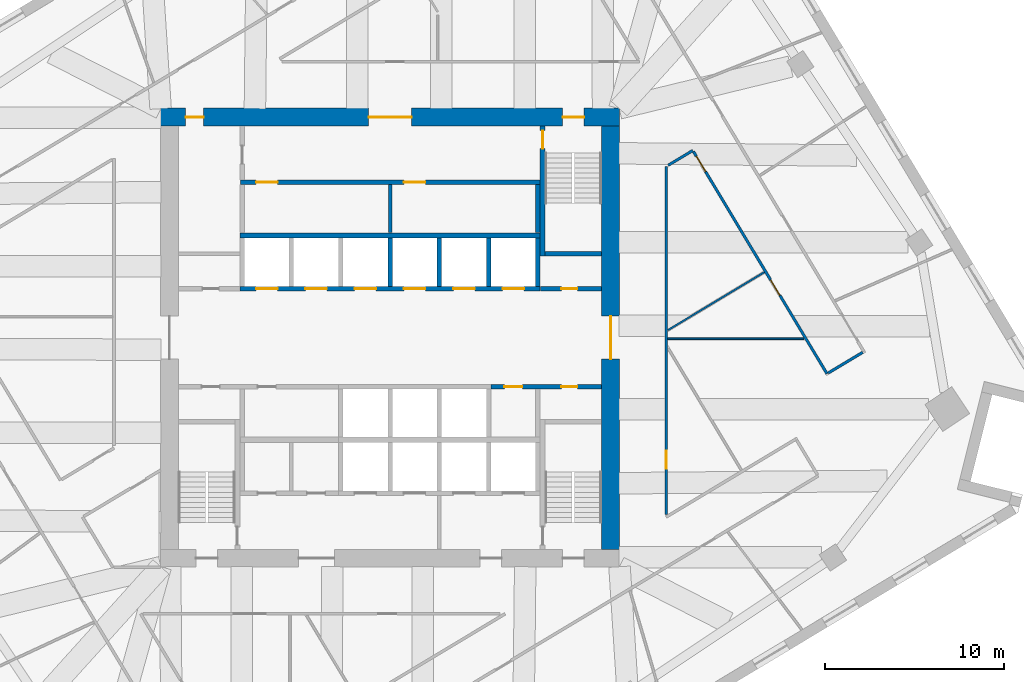
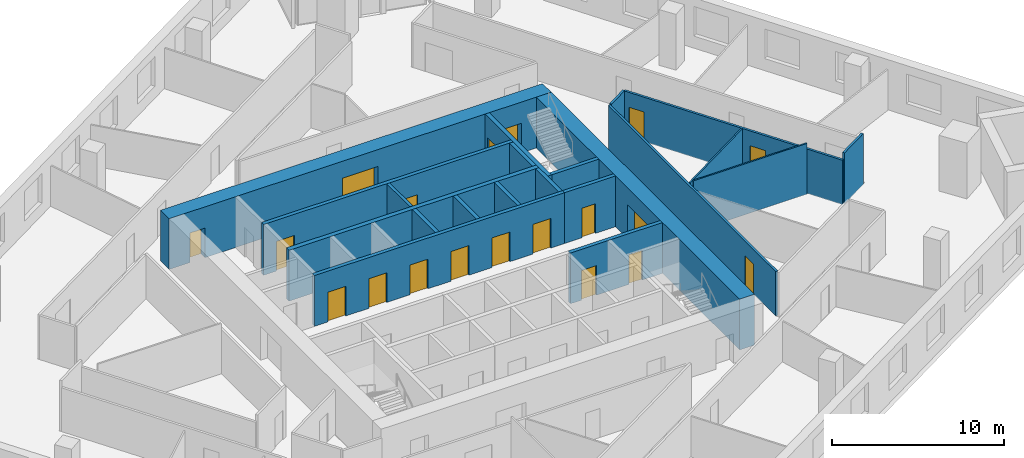
# One storey, part 9 of 14: 21 walls, 19 doors, 19 openings.
"""IFC4 building model written with IfcOpenShell, lengths in metres."""

from ifc_helpers import new_model, si_unit, direction, frame, frame_2d, origin, place, context, subcontext, project, spatial, rectangle, extrude, material, layer, layer_set, type_object, element, fill, save


model = new_model("IFC4")

# Units and contexts
model_context = context("Model", 3, precision=1e-05, world=origin(), true_north=direction((0.0, 1.0)))
body_context = subcontext(model_context, "Body", "Model", "MODEL_VIEW")
ifc_project = project(units=[si_unit("LENGTHUNIT", "METRE"), si_unit("AREAUNIT", "SQUARE_METRE"), si_unit("VOLUMEUNIT", "CUBIC_METRE"), si_unit("PLANEANGLEUNIT", "RADIAN"), si_unit("MASSUNIT", "GRAM", prefix="KILO")], contexts=[model_context])

# Site, building, storey
site_placement = place(None, origin())
site = spatial("IfcSite", under=ifc_project, at=site_placement, CompositionType="ELEMENT")
building_placement = place(site_placement, origin())
building = spatial("IfcBuilding", under=site, at=building_placement, Name="Dilmun Exchange Tower", CompositionType="ELEMENT")
storey_placement = place(building_placement, frame((0.0, 0.0, 151.699951171875)))
storey = spatial("IfcBuildingStorey", under=building, at=storey_placement, Name="L35", CompositionType="ELEMENT", Elevation=151.699951171875)

# Wall
ifc_material_1 = material(Name="Concrete C40/50", Category="concrete")
ifc_layer_1 = layer(ifc_material_1, 0.199951171875)
ifc_layer_set_1 = layer_set([ifc_layer_1], Name="Concrete C40/50")
wall_type_1 = type_object("IfcWallType", Name="Core partition wall 200", PredefinedType="PARTITIONING", material=ifc_layer_set_1)
wall_1_placement = place(storey_placement, frame((0.0, 5.85498046875, 0.0), z_axis=(0.0, 0.0, 1.0), x_axis=(0.0, 1.0, 0.0)))
element("IfcWall", 1, at=wall_1_placement, inside=storey, type_object=wall_type_1, Name="L35 core partition wall 14", PredefinedType="PARTITIONING", context=body_context, shape_type="SweptSolid", body=[
    extrude(rectangle(XDim=2.68994140625, YDim=0.199951171875, at=frame_2d((1.344970703125, 0.0))), origin(), (0.0, 0.0, 1.0), 3.60009765625),
])

# Wall, openings, doors
ifc_layer_2 = layer(ifc_material_1, 0.25)
ifc_layer_set_2 = layer_set([ifc_layer_2], Name="Concrete C40/50")
wall_type_2 = type_object("IfcWallType", Name="Core partition wall 250", PredefinedType="PARTITIONING", material=ifc_layer_set_2)
wall_2_placement = place(storey_placement, frame((5.6298828125, -2.72509765625, 0.0), z_axis=(0.0, 0.0, 1.0), x_axis=(1.0, 0.0, 0.0)))
wall_2 = element("IfcWall", 2, at=wall_2_placement, inside=storey, type_object=wall_type_2, Name="L35 core partition wall 09", PredefinedType="PARTITIONING", context=body_context, shape_type="SweptSolid", body=[
    extrude(rectangle(XDim=6.1650390625, YDim=0.25, at=frame_2d((3.08251953125, 0.0))), origin(), (0.0, 0.0, 1.0), 3.60009765625),
])
opening_1_placement = place(wall_2_placement, frame((0.7451171875, 0.0, 0.0)))
opening_1 = element("IfcOpeningElement", 3, at=opening_1_placement, cuts=wall_2, Name="Opening CD4", PredefinedType="OPENING", context=body_context, shape_type="SweptSolid", body=[
    extrude(rectangle(XDim=1.0, YDim=2.10009765625, at=frame_2d((0.5, 1.050048828125))), frame((0.0, 0.135009765625, 0.0), z_axis=(0.0, -1.0, 0.0), x_axis=(1.0, 0.0, 0.0)), (0.0, 0.0, 1.0), 0.27001953125),
])
opening_2_placement = place(wall_2_placement, frame((3.919921875, 0.0, 0.0)))
opening_2 = element("IfcOpeningElement", 4, at=opening_2_placement, cuts=wall_2, Name="Opening CD6", PredefinedType="OPENING", context=body_context, shape_type="SweptSolid", body=[
    extrude(rectangle(XDim=0.89990234375, YDim=2.10009765625, at=frame_2d((0.449951171875, 1.050048828125))), frame((0.0, 0.135009765625, 0.0), z_axis=(0.0, -1.0, 0.0), x_axis=(1.0, 0.0, 0.0)), (0.0, 0.0, 1.0), 0.27001953125),
])
ifc_material_2 = material(Name="Fire-rated steel door set", Category="steel")
door_type_1 = type_object("IfcDoorType", Name="Core room door 1000x2100", OperationType="SINGLE_SWING_LEFT", PredefinedType="DOOR", material=ifc_material_2)
door_1_placement = place(opening_1_placement, origin())
door_1 = element("IfcDoor", 5, at=door_1_placement, inside=storey, type_object=door_type_1, Name="L35 door Cleaners' store", OperationType="SINGLE_SWING_RIGHT", OverallHeight=2.10009765625, OverallWidth=1.0, PredefinedType="DOOR", context=body_context, shape_type="SweptSolid", body=[
    extrude(rectangle(XDim=1.0, YDim=2.10009765625, at=frame_2d((0.5, 1.050048828125))), frame((0.0, 0.02490234375, 0.0), z_axis=(0.0, -1.0, 0.0), x_axis=(1.0, 0.0, 0.0)), (0.0, 0.0, 1.0), 0.050048828125),
])
fill(opening_1, door_1)
door_type_2 = type_object("IfcDoorType", Name="Core room door 900x2100", OperationType="SINGLE_SWING_LEFT", PredefinedType="DOOR", material=ifc_material_2)
door_2_placement = place(opening_2_placement, origin())
door_2 = element("IfcDoor", 6, at=door_2_placement, inside=storey, type_object=door_type_2, Name="L35 door Comms riser", OperationType="SINGLE_SWING_RIGHT", OverallHeight=2.10009765625, OverallWidth=0.89990234375, PredefinedType="DOOR", context=body_context, shape_type="SweptSolid", body=[
    extrude(rectangle(XDim=0.89990234375, YDim=2.10009765625, at=frame_2d((0.449951171875, 1.050048828125))), frame((0.0, 0.02490234375, 0.0), z_axis=(0.0, -1.0, 0.0), x_axis=(1.0, 0.0, 0.0)), (0.0, 0.0, 1.0), 0.050048828125),
])
fill(opening_2, door_2)

# Wall, opening, door
wall_3_placement = place(storey_placement, frame((8.3798828125, 2.72509765625, 0.0), z_axis=(0.0, 0.0, 1.0), x_axis=(1.0, 0.0, 0.0)))
wall_3 = element("IfcWall", 7, at=wall_3_placement, inside=storey, type_object=wall_type_2, Name="L35 core partition wall 11", PredefinedType="PARTITIONING", context=body_context, shape_type="SweptSolid", body=[
    extrude(rectangle(XDim=3.4150390625, YDim=0.25, at=frame_2d((1.70751953125, 0.0))), origin(), (0.0, 0.0, 1.0), 3.60009765625),
])
opening_3_placement = place(wall_3_placement, frame((1.169921875, 0.0, 0.0)))
opening_3 = element("IfcOpeningElement", 8, at=opening_3_placement, cuts=wall_3, Name="Opening CD6", PredefinedType="OPENING", context=body_context, shape_type="SweptSolid", body=[
    extrude(rectangle(XDim=0.89990234375, YDim=2.10009765625, at=frame_2d((0.449951171875, 1.050048828125))), frame((0.0, 0.135009765625, 0.0), z_axis=(0.0, -1.0, 0.0), x_axis=(1.0, 0.0, 0.0)), (0.0, 0.0, 1.0), 0.27001953125),
])
door_3_placement = place(opening_3_placement, origin())
door_3 = element("IfcDoor", 9, at=door_3_placement, inside=storey, type_object=door_type_2, Name="L35 door Electrical riser", OperationType="SINGLE_SWING_RIGHT", OverallHeight=2.10009765625, OverallWidth=0.89990234375, PredefinedType="DOOR", context=body_context, shape_type="SweptSolid", body=[
    extrude(rectangle(XDim=0.89990234375, YDim=2.10009765625, at=frame_2d((0.449951171875, 1.050048828125))), frame((0.0, 0.02490234375, 0.0), z_axis=(0.0, -1.0, 0.0), x_axis=(1.0, 0.0, 0.0)), (0.0, 0.0, 1.0), 0.050048828125),
])
fill(opening_3, door_3)

# Wall
wall_4_placement = place(storey_placement, frame((8.25, 5.85498046875, 0.0), z_axis=(0.0, 0.0, 1.0), x_axis=(0.0, 1.0, 0.0)))
element("IfcWall", 10, at=wall_4_placement, inside=storey, type_object=wall_type_2, Name="L35 core partition wall 15", PredefinedType="PARTITIONING", context=body_context, shape_type="SweptSolid", body=[
    extrude(rectangle(XDim=2.68994140625, YDim=0.25, at=frame_2d((1.344970703125, 0.0))), origin(), (0.0, 0.0, 1.0), 3.60009765625),
])

# Wall, openings, doors
wall_5_placement = place(storey_placement, frame((-8.35009765625, 8.675048828125, 0.0), z_axis=(0.0, 0.0, 1.0), x_axis=(1.0, 0.0, 0.0)))
wall_5 = element("IfcWall", 11, at=wall_5_placement, inside=storey, type_object=wall_type_2, Name="L35 core partition wall 16", PredefinedType="PARTITIONING", context=body_context, shape_type="SweptSolid", body=[
    extrude(rectangle(XDim=16.72021484375, YDim=0.25, at=frame_2d((8.360107421875, 0.0))), origin(), (0.0, 0.0, 1.0), 3.60009765625),
])
opening_4_placement = place(wall_5_placement, frame((0.875, 0.0, 0.0)))
opening_4 = element("IfcOpeningElement", 12, at=opening_4_placement, cuts=wall_5, Name="Opening CD3", PredefinedType="OPENING", context=body_context, shape_type="SweptSolid", body=[
    extrude(rectangle(XDim=1.199951171875, YDim=2.10009765625, at=frame_2d((0.60009765625, 1.050048828125))), frame((0.0, 0.135009765625, 0.0), z_axis=(0.0, -1.0, 0.0), x_axis=(1.0, 0.0, 0.0)), (0.0, 0.0, 1.0), 0.27001953125),
])
opening_5_placement = place(wall_5_placement, frame((9.125, 0.0, 0.0)))
opening_5 = element("IfcOpeningElement", 13, at=opening_5_placement, cuts=wall_5, Name="Opening CD3", PredefinedType="OPENING", context=body_context, shape_type="SweptSolid", body=[
    extrude(rectangle(XDim=1.199951171875, YDim=2.10009765625, at=frame_2d((0.60009765625, 1.050048828125))), frame((0.0, 0.135009765625, 0.0), z_axis=(0.0, -1.0, 0.0), x_axis=(1.0, 0.0, 0.0)), (0.0, 0.0, 1.0), 0.27001953125),
])
door_type_3 = type_object("IfcDoorType", Name="Stair exit door 1200x2100", OperationType="SINGLE_SWING_LEFT", PredefinedType="DOOR", material=ifc_material_2)
door_4_placement = place(opening_4_placement, origin())
door_4 = element("IfcDoor", 14, at=door_4_placement, inside=storey, type_object=door_type_3, Name="L35 door Tenant amenity store", OperationType="SINGLE_SWING_LEFT", OverallHeight=2.10009765625, OverallWidth=1.199951171875, PredefinedType="DOOR", context=body_context, shape_type="SweptSolid", body=[
    extrude(rectangle(XDim=1.199951171875, YDim=2.10009765625, at=frame_2d((0.60009765625, 1.050048828125))), frame((0.0, 0.02490234375, 0.0), z_axis=(0.0, -1.0, 0.0), x_axis=(1.0, 0.0, 0.0)), (0.0, 0.0, 1.0), 0.050048828125),
])
fill(opening_4, door_4)
door_5_placement = place(opening_5_placement, origin())
door_5 = element("IfcDoor", 15, at=door_5_placement, inside=storey, type_object=door_type_3, Name="L35 door Facilities workshop", OperationType="SINGLE_SWING_LEFT", OverallHeight=2.10009765625, OverallWidth=1.199951171875, PredefinedType="DOOR", context=body_context, shape_type="SweptSolid", body=[
    extrude(rectangle(XDim=1.199951171875, YDim=2.10009765625, at=frame_2d((0.60009765625, 1.050048828125))), frame((0.0, 0.02490234375, 0.0), z_axis=(0.0, -1.0, 0.0), x_axis=(1.0, 0.0, 0.0)), (0.0, 0.0, 1.0), 0.050048828125),
])
fill(opening_5, door_5)

ifc_material_3 = material(Name="Concrete C70/85", Category="concrete")
ifc_layer_3 = layer(ifc_material_3, 1.0)
ifc_layer_set_3 = layer_set([ifc_layer_3], Name="Concrete C70/85")
wall_type_3 = type_object("IfcWallType", Name="Core shear wall 1000 Concrete C70/85", PredefinedType="SHEAR", material=ifc_layer_set_3)
wall_6_placement = place(storey_placement, frame((-12.800048828125, 12.300048828125, 0.0), z_axis=(0.0, 0.0, 1.0), x_axis=(1.0, 0.0, 0.0)))
wall_6 = element("IfcWall", 16, at=wall_6_placement, inside=storey, type_object=wall_type_3, Name="L35 core shear wall N", PredefinedType="SHEAR", context=body_context, shape_type="SweptSolid", body=[
    extrude(rectangle(XDim=25.60009765625, YDim=1.0, at=frame_2d((12.800048828125, 0.0))), origin(), (0.0, 0.0, 1.0), 3.60009765625),
])
opening_6_placement = place(wall_6_placement, frame((11.60009765625, 0.0, 0.0)))
opening_6 = element("IfcOpeningElement", 17, at=opening_6_placement, cuts=wall_6, Name="Opening CD1", PredefinedType="OPENING", context=body_context, shape_type="SweptSolid", body=[
    extrude(rectangle(XDim=2.39990234375, YDim=2.39990234375, at=frame_2d((1.199951171875, 1.199951171875))), frame((0.0, 0.510009765625, 0.0), z_axis=(0.0, -1.0, 0.0), x_axis=(1.0, 0.0, 0.0)), (0.0, 0.0, 1.0), 1.02001953125),
])
opening_7_placement = place(wall_6_placement, frame((22.425048828125, 0.0, 0.0)))
opening_7 = element("IfcOpeningElement", 18, at=opening_7_placement, cuts=wall_6, Name="Opening CD3", PredefinedType="OPENING", context=body_context, shape_type="SweptSolid", body=[
    extrude(rectangle(XDim=1.199951171875, YDim=2.10009765625, at=frame_2d((0.60009765625, 1.050048828125))), frame((0.0, 0.510009765625, 0.0), z_axis=(0.0, -1.0, 0.0), x_axis=(1.0, 0.0, 0.0)), (0.0, 0.0, 1.0), 1.02001953125),
])
opening_8_placement = place(wall_6_placement, frame((1.39990234375, 0.0, 0.0)))
opening_8 = element("IfcOpeningElement", 19, at=opening_8_placement, cuts=wall_6, Name="Opening CD4", PredefinedType="OPENING", context=body_context, shape_type="SweptSolid", body=[
    extrude(rectangle(XDim=1.0, YDim=2.10009765625, at=frame_2d((0.5, 1.050048828125))), frame((0.0, 0.510009765625, 0.0), z_axis=(0.0, -1.0, 0.0), x_axis=(1.0, 0.0, 0.0)), (0.0, 0.0, 1.0), 1.02001953125),
])
door_type_4 = type_object("IfcDoorType", Name="Core lobby door 2400x2400", OperationType="DOUBLE_DOOR_DOUBLE_SWING", PredefinedType="DOOR", material=ifc_material_2)
door_6_placement = place(opening_6_placement, origin())
door_6 = element("IfcDoor", 20, at=door_6_placement, inside=storey, type_object=door_type_4, Name="L35 door North lift lobby", OperationType="SINGLE_SWING_LEFT", OverallHeight=2.39990234375, OverallWidth=2.39990234375, PredefinedType="DOOR", context=body_context, shape_type="SweptSolid", body=[
    extrude(rectangle(XDim=2.39990234375, YDim=2.39990234375, at=frame_2d((1.199951171875, 1.199951171875))), frame((0.0, 0.02490234375, 0.0), z_axis=(0.0, -1.0, 0.0), x_axis=(1.0, 0.0, 0.0)), (0.0, 0.0, 1.0), 0.050048828125),
])
fill(opening_6, door_6)
door_7_placement = place(opening_8_placement, origin())
door_7 = element("IfcDoor", 21, at=door_7_placement, inside=storey, type_object=door_type_1, Name="L35 door North-west core rooms", OperationType="SINGLE_SWING_LEFT", OverallHeight=2.10009765625, OverallWidth=1.0, PredefinedType="DOOR", context=body_context, shape_type="SweptSolid", body=[
    extrude(rectangle(XDim=1.0, YDim=2.10009765625, at=frame_2d((0.5, 1.050048828125))), frame((0.0, 0.02490234375, 0.0), z_axis=(0.0, -1.0, 0.0), x_axis=(1.0, 0.0, 0.0)), (0.0, 0.0, 1.0), 0.050048828125),
])
fill(opening_8, door_7)
door_8_placement = place(opening_7_placement, origin())
door_8 = element("IfcDoor", 22, at=door_8_placement, inside=storey, type_object=door_type_3, Name="L35 door Stair ST1", OperationType="SINGLE_SWING_LEFT", OverallHeight=2.10009765625, OverallWidth=1.199951171875, PredefinedType="DOOR", context=body_context, shape_type="SweptSolid", body=[
    extrude(rectangle(XDim=1.199951171875, YDim=2.10009765625, at=frame_2d((0.60009765625, 1.050048828125))), frame((0.0, 0.02490234375, 0.0), z_axis=(0.0, -1.0, 0.0), x_axis=(1.0, 0.0, 0.0)), (0.0, 0.0, 1.0), 0.050048828125),
])
fill(opening_7, door_8)

# Wall, opening, door
wall_7_placement = place(storey_placement, frame((12.300048828125, -11.800048828125, 0.0), z_axis=(0.0, 0.0, 1.0), x_axis=(0.0, 1.0, 0.0)))
wall_7 = element("IfcWall", 23, at=wall_7_placement, inside=storey, type_object=wall_type_3, Name="L35 core shear wall E", PredefinedType="SHEAR", context=body_context, shape_type="SweptSolid", body=[
    extrude(rectangle(XDim=23.60009765625, YDim=1.0, at=frame_2d((11.800048828125, 0.0))), origin(), (0.0, 0.0, 1.0), 3.60009765625),
])
opening_9_placement = place(wall_7_placement, frame((10.60009765625, 0.0, 0.0)))
opening_9 = element("IfcOpeningElement", 24, at=opening_9_placement, cuts=wall_7, Name="Opening CD1", PredefinedType="OPENING", context=body_context, shape_type="SweptSolid", body=[
    extrude(rectangle(XDim=2.39990234375, YDim=2.39990234375, at=frame_2d((1.199951171875, 1.199951171875))), frame((0.0, 0.510009765625, 0.0), z_axis=(0.0, -1.0, 0.0), x_axis=(1.0, 0.0, 0.0)), (0.0, 0.0, 1.0), 1.02001953125),
])
door_9_placement = place(opening_9_placement, origin())
door_9 = element("IfcDoor", 25, at=door_9_placement, inside=storey, type_object=door_type_4, Name="L35 door Central lift lobby", OperationType="SINGLE_SWING_LEFT", OverallHeight=2.39990234375, OverallWidth=2.39990234375, PredefinedType="DOOR", context=body_context, shape_type="SweptSolid", body=[
    extrude(rectangle(XDim=2.39990234375, YDim=2.39990234375, at=frame_2d((1.199951171875, 1.199951171875))), frame((0.0, 0.02490234375, 0.0), z_axis=(0.0, -1.0, 0.0), x_axis=(1.0, 0.0, 0.0)), (0.0, 0.0, 1.0), 0.050048828125),
])
fill(opening_9, door_9)

ifc_material_4 = material(Name="Corridor wall 150")
ifc_layer_4 = layer(ifc_material_4, 0.14990234375)
ifc_layer_set_4 = layer_set([ifc_layer_4], Name="Corridor wall 150")
wall_type_4 = type_object("IfcWallType", Name="Corridor wall 150", PredefinedType="PARTITIONING", material=ifc_layer_set_4)
wall_8_placement = place(storey_placement, frame((15.39990234375, -9.867431640625, 0.0), z_axis=(0.0, 0.0, 1.0), x_axis=(0.0, 1.0, 0.0)))
wall_8 = element("IfcWall", 26, at=wall_8_placement, inside=storey, type_object=wall_type_4, Name="Corridor wall", PredefinedType="PARTITIONING", context=body_context, shape_type="SweptSolid", body=[
    extrude(rectangle(XDim=19.41748046875, YDim=0.14990234375, at=frame_2d((9.708740234375, 0.0))), origin(), (0.0, 0.0, 1.0), 3.150146484375),
])
opening_10_placement = place(wall_8_placement, frame((2.550048828125, 0.0, 0.0)))
opening_10 = element("IfcOpeningElement", 27, at=opening_10_placement, cuts=wall_8, Name="Opening TF34-D17", PredefinedType="OPENING", context=body_context, shape_type="SweptSolid", body=[
    extrude(rectangle(XDim=1.0, YDim=2.10009765625, at=frame_2d((0.5, 1.050048828125))), frame((0.0, 0.0849609375, 0.0), z_axis=(0.0, -1.0, 0.0), x_axis=(1.0, 0.0, 0.0)), (0.0, 0.0, 1.0), 0.169921875),
])
ifc_material_5 = material(Name="Fire door 1000 x 2100")
door_type_5 = type_object("IfcDoorType", Name="Fire door 1000 x 2100", OperationType="NOTDEFINED", PredefinedType="DOOR", material=ifc_material_5)
door_10_placement = place(opening_10_placement, frame((1.0, 0.0, 0.0), z_axis=(0.0, 0.0, 1.0), x_axis=(-1.0, 0.0, 0.0)))
door_10 = element("IfcDoor", 28, at=door_10_placement, inside=storey, type_object=door_type_5, Name="Door TF34-D17", OperationType="SINGLE_SWING_RIGHT", OverallHeight=2.10009765625, OverallWidth=1.0, PredefinedType="DOOR", context=body_context, shape_type="SweptSolid", body=[
    extrude(rectangle(XDim=1.0, YDim=2.10009765625, at=frame_2d((0.5, 1.050048828125))), frame((0.0, 0.02490234375, 0.0), z_axis=(0.0, -1.0, 0.0), x_axis=(1.0, 0.0, 0.0)), (0.0, 0.0, 1.0), 0.050048828125),
])
fill(opening_10, door_10)

# Wall
wall_9_placement = place(storey_placement, frame((15.513671875, 9.618408203125, 0.0), z_axis=(0.0, 0.0, 1.0), x_axis=(0.857129434102, 0.515101090268, 0.0)))
element("IfcWall", 29, at=wall_9_placement, inside=storey, type_object=wall_type_4, Name="Corridor wall", PredefinedType="PARTITIONING", context=body_context, shape_type="SweptSolid", body=[
    extrude(rectangle(XDim=1.60107421875, YDim=0.14990234375, at=frame_2d((0.800537109375, 0.0))), origin(), (0.0, 0.0, 1.0), 3.150146484375),
])

# Wall, openings, doors
wall_10_placement = place(storey_placement, frame((16.924560546875, 10.378662109375, 0.0), z_axis=(0.0, 0.0, 1.0), x_axis=(0.515094231421, -0.857133555962, 0.0)))
wall_10 = element("IfcWall", 30, at=wall_10_placement, inside=storey, type_object=wall_type_4, Name="Corridor wall", PredefinedType="PARTITIONING", context=body_context, shape_type="SweptSolid", body=[
    extrude(rectangle(XDim=14.454833984375, YDim=0.14990234375, at=frame_2d((7.2275390625, 0.0))), origin(), (0.0, 0.0, 1.0), 3.150146484375),
])
opening_11_placement = place(wall_10_placement, frame((0.300048828125, 0.0, 0.0)))
opening_11 = element("IfcOpeningElement", 31, at=opening_11_placement, cuts=wall_10, Name="Opening TF34-D18", PredefinedType="OPENING", context=body_context, shape_type="SweptSolid", body=[
    extrude(rectangle(XDim=1.0, YDim=2.10009765625, at=frame_2d((0.5, 1.050048828125))), frame((0.0, 0.0849609375, 0.0), z_axis=(0.0, -1.0, 0.0), x_axis=(1.0, 0.0, 0.0)), (0.0, 0.0, 1.0), 0.169921875),
])
opening_12_placement = place(wall_10_placement, frame((8.34814453125, 0.0, 0.0)))
opening_12 = element("IfcOpeningElement", 32, at=opening_12_placement, cuts=wall_10, Name="Opening TF34-D20", PredefinedType="OPENING", context=body_context, shape_type="SweptSolid", body=[
    extrude(rectangle(XDim=1.0, YDim=2.10009765625, at=frame_2d((0.5, 1.050048828125))), frame((0.0, 0.0849609375, 0.0), z_axis=(0.0, -1.0, 0.0), x_axis=(1.0, 0.0, 0.0)), (0.0, 0.0, 1.0), 0.169921875),
])
door_11_placement = place(opening_11_placement, frame((1.0, 0.0, 0.0), z_axis=(0.0, 0.0, 1.0), x_axis=(-1.0, 0.0, 0.0)))
door_11 = element("IfcDoor", 33, at=door_11_placement, inside=storey, type_object=door_type_5, Name="Door TF34-D18", OperationType="SINGLE_SWING_RIGHT", OverallHeight=2.10009765625, OverallWidth=1.0, PredefinedType="DOOR", context=body_context, shape_type="SweptSolid", body=[
    extrude(rectangle(XDim=1.0, YDim=2.10009765625, at=frame_2d((0.5, 1.050048828125))), frame((0.0, 0.02490234375, 0.0), z_axis=(0.0, -1.0, 0.0), x_axis=(1.0, 0.0, 0.0)), (0.0, 0.0, 1.0), 0.050048828125),
])
fill(opening_11, door_11)
door_12_placement = place(opening_12_placement, frame((1.0, 0.0, 0.0), z_axis=(0.0, 0.0, 1.0), x_axis=(-1.0, 0.0, 0.0)))
door_12 = element("IfcDoor", 34, at=door_12_placement, inside=storey, type_object=door_type_5, Name="Door TF34-D20", OperationType="SINGLE_SWING_RIGHT", OverallHeight=2.10009765625, OverallWidth=1.0, PredefinedType="DOOR", context=body_context, shape_type="SweptSolid", body=[
    extrude(rectangle(XDim=1.0, YDim=2.10009765625, at=frame_2d((0.5, 1.050048828125))), frame((0.0, 0.02490234375, 0.0), z_axis=(0.0, -1.0, 0.0), x_axis=(1.0, 0.0, 0.0)), (0.0, 0.0, 1.0), 0.050048828125),
])
fill(opening_12, door_12)

# Walls
wall_11_placement = place(storey_placement, frame((24.434326171875, -1.972412109375, 0.0), z_axis=(0.0, 0.0, 1.0), x_axis=(0.857176787658, 0.515022285634, 0.0)))
element("IfcWall", 35, at=wall_11_placement, inside=storey, type_object=wall_type_4, Name="Corridor wall", PredefinedType="PARTITIONING", context=body_context, shape_type="SweptSolid", body=[
    extrude(rectangle(XDim=2.249755859375, YDim=0.14990234375, at=frame_2d((1.125, 0.0))), origin(), (0.0, 0.0, 1.0), 3.60009765625),
])
ifc_layer_5 = layer(ifc_material_1, 0.300048828125)
ifc_layer_set_5 = layer_set([ifc_layer_5], Name="Concrete C40/50")
wall_type_5 = type_object("IfcWallType", Name="Lift shaft shared wall 300", PredefinedType="SOLIDWALL", material=ifc_layer_set_5)
wall_12_placement = place(storey_placement, frame((-8.375, 5.699951171875, 0.0), z_axis=(0.0, 0.0, 1.0), x_axis=(1.0, 0.0, 0.0)))
element("IfcWall", 36, at=wall_12_placement, inside=storey, type_object=wall_type_5, Name="L35 lift shaft rear wall N", PredefinedType="SOLIDWALL", context=body_context, shape_type="SweptSolid", body=[
    extrude(rectangle(XDim=16.75, YDim=0.300048828125, at=frame_2d((8.375, 0.0))), origin(), (0.0, 0.0, 1.0), 3.60009765625),
])

# Wall, openings, doors
ifc_layer_6 = layer(ifc_material_1, 0.25)
ifc_layer_set_6 = layer_set([ifc_layer_6], Name="Concrete C40/50")
wall_type_6 = type_object("IfcWallType", Name="Lift shaft wall 250", PredefinedType="SOLIDWALL", material=ifc_layer_set_6)
wall_13_placement = place(storey_placement, frame((-8.375, 2.72509765625, 0.0), z_axis=(0.0, 0.0, 1.0), x_axis=(1.0, 0.0, 0.0)))
wall_13 = element("IfcWall", 37, at=wall_13_placement, inside=storey, type_object=wall_type_6, Name="L35 lift shaft front wall N1", PredefinedType="SOLIDWALL", context=body_context, shape_type="SweptSolid", body=[
    extrude(rectangle(XDim=16.75, YDim=0.25, at=frame_2d((8.375, 0.0))), origin(), (0.0, 0.0, 1.0), 3.60009765625),
])
opening_13_placement = place(wall_13_placement, frame((0.89990234375, 0.0, 0.0)))
opening_13 = element("IfcOpeningElement", 38, at=opening_13_placement, cuts=wall_13, Name="Opening LD", PredefinedType="OPENING", context=body_context, shape_type="SweptSolid", body=[
    extrude(rectangle(XDim=1.199951171875, YDim=2.10009765625, at=frame_2d((0.60009765625, 1.050048828125))), frame((0.0, 0.135009765625, 0.0), z_axis=(0.0, -1.0, 0.0), x_axis=(1.0, 0.0, 0.0)), (0.0, 0.0, 1.0), 0.27001953125),
])
opening_14_placement = place(wall_13_placement, frame((3.64990234375, 0.0, 0.0)))
opening_14 = element("IfcOpeningElement", 39, at=opening_14_placement, cuts=wall_13, Name="Opening LD", PredefinedType="OPENING", context=body_context, shape_type="SweptSolid", body=[
    extrude(rectangle(XDim=1.199951171875, YDim=2.10009765625, at=frame_2d((0.60009765625, 1.050048828125))), frame((0.0, 0.135009765625, 0.0), z_axis=(0.0, -1.0, 0.0), x_axis=(1.0, 0.0, 0.0)), (0.0, 0.0, 1.0), 0.27001953125),
])
opening_15_placement = place(wall_13_placement, frame((6.39990234375, 0.0, 0.0)))
opening_15 = element("IfcOpeningElement", 40, at=opening_15_placement, cuts=wall_13, Name="Opening LD", PredefinedType="OPENING", context=body_context, shape_type="SweptSolid", body=[
    extrude(rectangle(XDim=1.199951171875, YDim=2.10009765625, at=frame_2d((0.60009765625, 1.050048828125))), frame((0.0, 0.135009765625, 0.0), z_axis=(0.0, -1.0, 0.0), x_axis=(1.0, 0.0, 0.0)), (0.0, 0.0, 1.0), 0.27001953125),
])
opening_16_placement = place(wall_13_placement, frame((9.14990234375, 0.0, 0.0)))
opening_16 = element("IfcOpeningElement", 41, at=opening_16_placement, cuts=wall_13, Name="Opening LD", PredefinedType="OPENING", context=body_context, shape_type="SweptSolid", body=[
    extrude(rectangle(XDim=1.199951171875, YDim=2.10009765625, at=frame_2d((0.60009765625, 1.050048828125))), frame((0.0, 0.135009765625, 0.0), z_axis=(0.0, -1.0, 0.0), x_axis=(1.0, 0.0, 0.0)), (0.0, 0.0, 1.0), 0.27001953125),
])
opening_17_placement = place(wall_13_placement, frame((11.89990234375, 0.0, 0.0)))
opening_17 = element("IfcOpeningElement", 42, at=opening_17_placement, cuts=wall_13, Name="Opening LD", PredefinedType="OPENING", context=body_context, shape_type="SweptSolid", body=[
    extrude(rectangle(XDim=1.199951171875, YDim=2.10009765625, at=frame_2d((0.60009765625, 1.050048828125))), frame((0.0, 0.135009765625, 0.0), z_axis=(0.0, -1.0, 0.0), x_axis=(1.0, 0.0, 0.0)), (0.0, 0.0, 1.0), 0.27001953125),
])
opening_18_placement = place(wall_13_placement, frame((14.64990234375, 0.0, 0.0)))
opening_18 = element("IfcOpeningElement", 43, at=opening_18_placement, cuts=wall_13, Name="Opening LD", PredefinedType="OPENING", context=body_context, shape_type="SweptSolid", body=[
    extrude(rectangle(XDim=1.199951171875, YDim=2.10009765625, at=frame_2d((0.60009765625, 1.050048828125))), frame((0.0, 0.135009765625, 0.0), z_axis=(0.0, -1.0, 0.0), x_axis=(1.0, 0.0, 0.0)), (0.0, 0.0, 1.0), 0.27001953125),
])
door_type_6 = type_object("IfcDoorType", Name="Lift landing door 1200x2100", OperationType="DOUBLE_DOOR_SLIDING", PredefinedType="DOOR", material=ifc_material_2)
door_13_placement = place(opening_13_placement, origin())
door_13 = element("IfcDoor", 44, at=door_13_placement, inside=storey, type_object=door_type_6, Name="L35 landing door MR1", OperationType="DOUBLE_DOOR_SLIDING", OverallHeight=2.10009765625, OverallWidth=1.199951171875, PredefinedType="DOOR", context=body_context, shape_type="SweptSolid", body=[
    extrude(rectangle(XDim=1.199951171875, YDim=2.10009765625, at=frame_2d((0.60009765625, 1.050048828125))), frame((0.0, 0.02490234375, 0.0), z_axis=(0.0, -1.0, 0.0), x_axis=(1.0, 0.0, 0.0)), (0.0, 0.0, 1.0), 0.050048828125),
])
fill(opening_13, door_13)
door_14_placement = place(opening_14_placement, origin())
door_14 = element("IfcDoor", 45, at=door_14_placement, inside=storey, type_object=door_type_6, Name="L35 landing door MR2", OperationType="DOUBLE_DOOR_SLIDING", OverallHeight=2.10009765625, OverallWidth=1.199951171875, PredefinedType="DOOR", context=body_context, shape_type="SweptSolid", body=[
    extrude(rectangle(XDim=1.199951171875, YDim=2.10009765625, at=frame_2d((0.60009765625, 1.050048828125))), frame((0.0, 0.02490234375, 0.0), z_axis=(0.0, -1.0, 0.0), x_axis=(1.0, 0.0, 0.0)), (0.0, 0.0, 1.0), 0.050048828125),
])
fill(opening_14, door_14)
door_15_placement = place(opening_15_placement, origin())
door_15 = element("IfcDoor", 46, at=door_15_placement, inside=storey, type_object=door_type_6, Name="L35 landing door MR3", OperationType="DOUBLE_DOOR_SLIDING", OverallHeight=2.10009765625, OverallWidth=1.199951171875, PredefinedType="DOOR", context=body_context, shape_type="SweptSolid", body=[
    extrude(rectangle(XDim=1.199951171875, YDim=2.10009765625, at=frame_2d((0.60009765625, 1.050048828125))), frame((0.0, 0.02490234375, 0.0), z_axis=(0.0, -1.0, 0.0), x_axis=(1.0, 0.0, 0.0)), (0.0, 0.0, 1.0), 0.050048828125),
])
fill(opening_15, door_15)
door_16_placement = place(opening_16_placement, origin())
door_16 = element("IfcDoor", 47, at=door_16_placement, inside=storey, type_object=door_type_6, Name="L35 landing door MR4", OperationType="DOUBLE_DOOR_SLIDING", OverallHeight=2.10009765625, OverallWidth=1.199951171875, PredefinedType="DOOR", context=body_context, shape_type="SweptSolid", body=[
    extrude(rectangle(XDim=1.199951171875, YDim=2.10009765625, at=frame_2d((0.60009765625, 1.050048828125))), frame((0.0, 0.02490234375, 0.0), z_axis=(0.0, -1.0, 0.0), x_axis=(1.0, 0.0, 0.0)), (0.0, 0.0, 1.0), 0.050048828125),
])
fill(opening_16, door_16)
door_17_placement = place(opening_17_placement, origin())
door_17 = element("IfcDoor", 48, at=door_17_placement, inside=storey, type_object=door_type_6, Name="L35 landing door MR5", OperationType="DOUBLE_DOOR_SLIDING", OverallHeight=2.10009765625, OverallWidth=1.199951171875, PredefinedType="DOOR", context=body_context, shape_type="SweptSolid", body=[
    extrude(rectangle(XDim=1.199951171875, YDim=2.10009765625, at=frame_2d((0.60009765625, 1.050048828125))), frame((0.0, 0.02490234375, 0.0), z_axis=(0.0, -1.0, 0.0), x_axis=(1.0, 0.0, 0.0)), (0.0, 0.0, 1.0), 0.050048828125),
])
fill(opening_17, door_17)
door_18_placement = place(opening_18_placement, origin())
door_18 = element("IfcDoor", 49, at=door_18_placement, inside=storey, type_object=door_type_6, Name="L35 landing door MR6", OperationType="DOUBLE_DOOR_SLIDING", OverallHeight=2.10009765625, OverallWidth=1.199951171875, PredefinedType="DOOR", context=body_context, shape_type="SweptSolid", body=[
    extrude(rectangle(XDim=1.199951171875, YDim=2.10009765625, at=frame_2d((0.60009765625, 1.050048828125))), frame((0.0, 0.02490234375, 0.0), z_axis=(0.0, -1.0, 0.0), x_axis=(1.0, 0.0, 0.0)), (0.0, 0.0, 1.0), 0.050048828125),
])
fill(opening_18, door_18)

# Walls
for number, where, z_axis, x_axis, name in (
    (50, (0.0, 2.85009765625, 0.0), (0.0, 0.0, 1.0), (0.0, 1.0, 0.0), "L35 lift shaft divider N13"),
    (51, (2.75, 2.85009765625, 0.0), (0.0, 0.0, 1.0), (0.0, 1.0, 0.0), "L35 lift shaft divider N14"),
    (52, (5.5, 2.85009765625, 0.0), (0.0, 0.0, 1.0), (0.0, 1.0, 0.0), "L35 lift shaft divider N15"),
    (53, (8.25, 2.85009765625, 0.0), (0.0, 0.0, 1.0), (0.0, 1.0, 0.0), "L35 lift shaft divider N16"),
):
    element("IfcWall", number, at=place(storey_placement, frame(where, z_axis=z_axis, x_axis=x_axis)), inside=storey, type_object=wall_type_6, Name=name, PredefinedType="SOLIDWALL", context=body_context, shape_type="SweptSolid", body=[
        extrude(rectangle(XDim=2.699951171875, YDim=0.25, at=frame_2d((1.35009765625, 0.0))), origin(), (0.0, 0.0, 1.0), 3.60009765625),
    ])
ifc_material_6 = material(Name="Partition 100")
ifc_layer_7 = layer(ifc_material_6, 0.10009765625)
ifc_layer_set_7 = layer_set([ifc_layer_7], Name="Partition 100")
wall_type_7 = type_object("IfcWallType", Name="Partition 100", PredefinedType="PARTITIONING", material=ifc_layer_set_7)
wall_14_placement = place(storey_placement, frame((15.47509765625, -0.055908203125, 0.0), z_axis=(0.0, 0.0, 1.0), x_axis=(1.0, 0.0, 0.0)))
element("IfcWall", 54, at=wall_14_placement, inside=storey, type_object=wall_type_7, Name="Partition", PredefinedType="PARTITIONING", context=body_context, shape_type="SweptSolid", body=[
    extrude(rectangle(XDim=7.602294921875, YDim=0.10009765625, at=frame_2d((3.80126953125, 0.0))), origin(), (0.0, 0.0, 1.0), 3.60009765625),
])
wall_15_placement = place(storey_placement, frame((15.500732421875, 0.425537109375, 0.0), z_axis=(0.0, 0.0, 1.0), x_axis=(0.857114899057, 0.515125275845, 0.0)))
element("IfcWall", 55, at=wall_15_placement, inside=storey, type_object=wall_type_7, Name="Partition", PredefinedType="PARTITIONING", context=body_context, shape_type="SweptSolid", body=[
    extrude(rectangle(XDim=6.272216796875, YDim=0.10009765625, at=frame_2d((3.13623046875, 0.0))), origin(), (0.0, 0.0, 1.0), 3.150146484375),
])
ifc_layer_8 = layer(ifc_material_1, 0.25)
ifc_layer_set_8 = layer_set([ifc_layer_8], Name="Concrete C40/50")
wall_type_8 = type_object("IfcWallType", Name="Stair end wall 250", PredefinedType="SOLIDWALL", material=ifc_layer_set_8)
wall_16_placement = place(storey_placement, frame((8.64990234375, 4.675048828125, 0.0), z_axis=(0.0, 0.0, 1.0), x_axis=(1.0, 0.0, 0.0)))
element("IfcWall", 56, at=wall_16_placement, inside=storey, type_object=wall_type_8, Name="L35 ST1 far wall", PredefinedType="SOLIDWALL", context=body_context, shape_type="SweptSolid", body=[
    extrude(rectangle(XDim=3.150146484375, YDim=0.25, at=frame_2d((1.5751953125, 0.0))), origin(), (0.0, 0.0, 1.0), 3.60009765625),
])

# Wall, opening, door
ifc_layer_9 = layer(ifc_material_1, 0.27490234375)
ifc_layer_set_9 = layer_set([ifc_layer_9], Name="Concrete C40/50")
wall_type_9 = type_object("IfcWallType", Name="Stair wall 275", PredefinedType="SOLIDWALL", material=ifc_layer_set_9)
wall_17_placement = place(storey_placement, frame((8.512451171875, 4.550048828125, 0.0), z_axis=(0.0, 0.0, 1.0), x_axis=(0.0, 1.0, 0.0)))
wall_17 = element("IfcWall", 57, at=wall_17_placement, inside=storey, type_object=wall_type_9, Name="L35 ST1 wall to lift block", PredefinedType="SOLIDWALL", context=body_context, shape_type="SweptSolid", body=[
    extrude(rectangle(XDim=7.25, YDim=0.27490234375, at=frame_2d((3.625, 0.0))), origin(), (0.0, 0.0, 1.0), 3.60009765625),
])
opening_19_placement = place(wall_17_placement, frame((6.0, 0.0, 0.0)))
opening_19 = element("IfcOpeningElement", 58, at=opening_19_placement, cuts=wall_17, Name="Opening CD4", PredefinedType="OPENING", context=body_context, shape_type="SweptSolid", body=[
    extrude(rectangle(XDim=1.0, YDim=2.10009765625, at=frame_2d((0.5, 1.050048828125))), frame((0.0, 0.1474609375, 0.0), z_axis=(0.0, -1.0, 0.0), x_axis=(1.0, 0.0, 0.0)), (0.0, 0.0, 1.0), 0.294921875),
])
door_19_placement = place(opening_19_placement, origin())
door_19 = element("IfcDoor", 59, at=door_19_placement, inside=storey, type_object=door_type_1, Name="L35 door ST1 from lobby", OperationType="SINGLE_SWING_LEFT", OverallHeight=2.10009765625, OverallWidth=1.0, PredefinedType="DOOR", context=body_context, shape_type="SweptSolid", body=[
    extrude(rectangle(XDim=1.0, YDim=2.10009765625, at=frame_2d((0.5, 1.050048828125))), frame((0.0, 0.02490234375, 0.0), z_axis=(0.0, -1.0, 0.0), x_axis=(1.0, 0.0, 0.0)), (0.0, 0.0, 1.0), 0.050048828125),
])
fill(opening_19, door_19)

save(model, "model.ifc")
